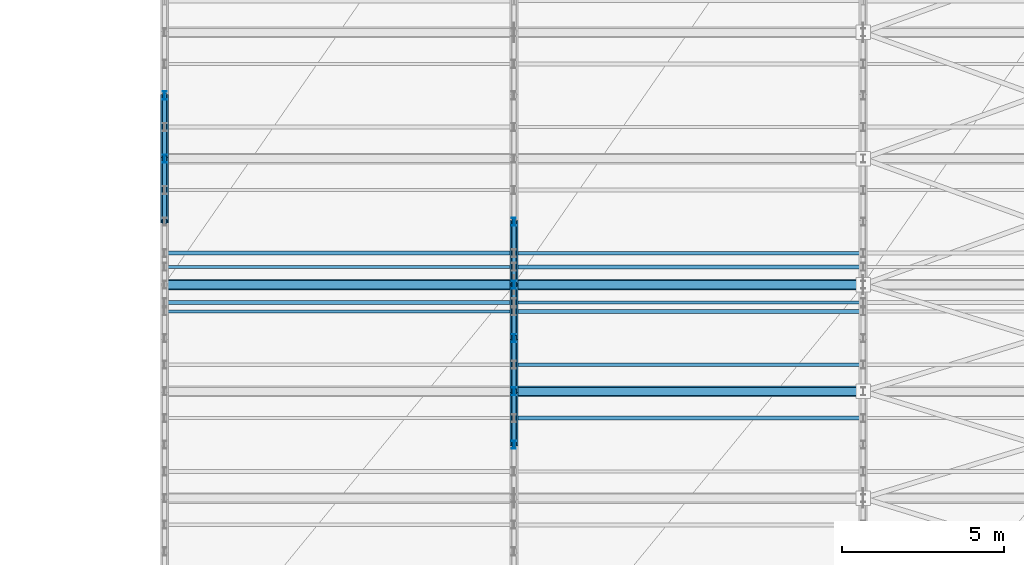
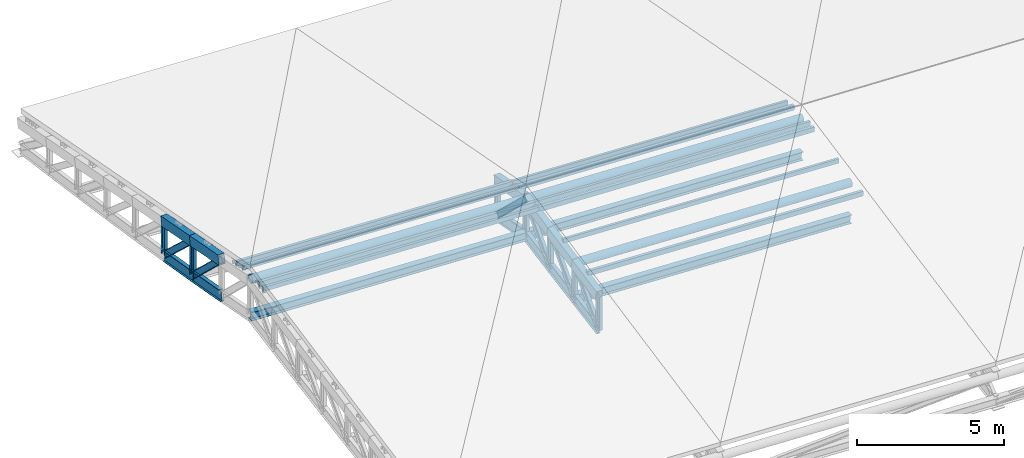
# One storey, part 15 of 89: 29 members, 12 beams.
"""IFC4 building model written with IfcOpenShell, lengths in metres."""

from ifc_helpers import new_model, si_unit, direction, frame, origin, origin_2d, place, context, subcontext, project, spatial, hollow_rectangle, hollow_circle, i_section, extrude, material, material_profile, profile_set, type_object, element, save


model = new_model("IFC4")

# Units and contexts
model_context = context("Model", 3, precision=1e-05, world=origin(), true_north=direction((0.0, 1.0)))
body_context = subcontext(model_context, "Body", "Model", "MODEL_VIEW")
ifc_project = project(units=[si_unit("LENGTHUNIT", "METRE"), si_unit("AREAUNIT", "SQUARE_METRE"), si_unit("VOLUMEUNIT", "CUBIC_METRE"), si_unit("PLANEANGLEUNIT", "RADIAN"), si_unit("MASSUNIT", "GRAM", prefix="KILO")], contexts=[model_context])

# Site, building, storey
site_placement = place(None, origin())
site = spatial("IfcSite", under=ifc_project, at=site_placement, CompositionType="ELEMENT")
building_placement = place(site_placement, origin())
building = spatial("IfcBuilding", under=site, at=building_placement, Name="Suirenkawa Promenade Aquatics Centre", CompositionType="ELEMENT")
storey_placement = place(building_placement, frame((0.0, 0.0, 9.60009765625)))
storey = spatial("IfcBuildingStorey", under=building, at=storey_placement, Name="L02", CompositionType="ELEMENT", Elevation=9.60009765625)

# Beams
ifc_material = material(Name="Steel IS 2062 E350 (Grade 350)", Category="steel")
ifc_material_profile_1 = material_profile(ifc_material, i_section(OverallWidth=0.14990234375, OverallDepth=0.449951171875, WebThickness=0.009033203125, FlangeThickness=0.01708984375, at=origin_2d()), Name="ISMB 450", Category="steel")
ifc_profile_set_1 = profile_set([ifc_material_profile_1], Name="Steel IS 2062 E350 (Grade 350)")
beam_type_1 = type_object("IfcBeamType", Name="BT-STL-ISMB450", PredefinedType="BEAM", material=ifc_profile_set_1)
beam_1_placement = place(storey_placement, frame((79.199951171875, 15.14990234375, 0.572998046875), z_axis=(0.0, 0.984179886777, -0.177172092787), x_axis=(-1.0, 0.0, 0.0)))
element("IfcBeam", 1, at=beam_1_placement, inside=storey, type_object=beam_type_1, Name="ROOF TRUSS V3 bottom chord BM-08 BM-2594", PredefinedType="BEAM", context=body_context, shape_type="SweptSolid", body=[
    extrude(i_section(OverallWidth=0.14990234375, OverallDepth=0.449951171875, WebThickness=0.009033203125, FlangeThickness=0.01708984375, at=origin_2d()), origin(), (0.0, 0.0, 1.0), 1.9814453125),
])
beam_2_placement = place(storey_placement, frame((79.199951171875, 17.10009765625, 0.221923828125), z_axis=(0.0, 0.98589233015, -0.167380743669), x_axis=(-1.0, 0.0, 0.0)))
element("IfcBeam", 2, at=beam_2_placement, inside=storey, type_object=beam_type_1, Name="ROOF TRUSS V3 bottom chord BM-08 BM-2596", PredefinedType="BEAM", context=body_context, shape_type="SweptSolid", body=[
    extrude(i_section(OverallWidth=0.14990234375, OverallDepth=0.449951171875, WebThickness=0.009033203125, FlangeThickness=0.01708984375, at=origin_2d()), origin(), (0.0, 0.0, 1.0), 1.977783203125),
])
beam_3_placement = place(storey_placement, frame((90.0, 8.25, -0.406005859375), z_axis=(0.0, 0.985219243782, 0.171298107642), x_axis=(-1.0, 0.0, 0.0)))
element("IfcBeam", 3, at=beam_3_placement, inside=storey, type_object=beam_type_1, Name="ROOF TRUSS V3 bottom chord BM-08 BM-2618", PredefinedType="BEAM", context=body_context, shape_type="SweptSolid", body=[
    extrude(i_section(OverallWidth=0.14990234375, OverallDepth=0.449951171875, WebThickness=0.009033203125, FlangeThickness=0.01708984375, at=origin_2d()), origin(), (0.0, 0.0, 1.0), 1.674560546875),
])
beam_4_placement = place(storey_placement, frame((90.0, 9.89990234375, -0.119140625), z_axis=(0.0, 0.983867580991, 0.178898247823), x_axis=(-1.0, 0.0, 0.0)))
element("IfcBeam", 4, at=beam_4_placement, inside=storey, type_object=beam_type_1, Name="ROOF TRUSS V3 bottom chord BM-08 BM-2620", PredefinedType="BEAM", context=body_context, shape_type="SweptSolid", body=[
    extrude(i_section(OverallWidth=0.14990234375, OverallDepth=0.449951171875, WebThickness=0.009033203125, FlangeThickness=0.01708984375, at=origin_2d()), origin(), (0.0, 0.0, 1.0), 1.67724609375),
])
beam_5_placement = place(storey_placement, frame((90.0, 11.550048828125, 0.180908203125), z_axis=(0.0, 0.982478263587, 0.186377202415), x_axis=(-1.0, 0.0, 0.0)))
element("IfcBeam", 5, at=beam_5_placement, inside=storey, type_object=beam_type_1, Name="ROOF TRUSS V3 bottom chord BM-08 BM-2622", PredefinedType="BEAM", context=body_context, shape_type="SweptSolid", body=[
    extrude(i_section(OverallWidth=0.14990234375, OverallDepth=0.449951171875, WebThickness=0.009033203125, FlangeThickness=0.01708984375, at=origin_2d()), origin(), (0.0, 0.0, 1.0), 1.679443359375),
])
beam_6_placement = place(storey_placement, frame((90.0, 13.199951171875, 0.493896484375), z_axis=(0.0, 0.982368697104, -0.18695385246), x_axis=(-1.0, 0.0, 0.0)))
element("IfcBeam", 6, at=beam_6_placement, inside=storey, type_object=beam_type_1, Name="ROOF TRUSS V3 bottom chord BM-08 BM-2624", PredefinedType="BEAM", context=body_context, shape_type="SweptSolid", body=[
    extrude(i_section(OverallWidth=0.14990234375, OverallDepth=0.449951171875, WebThickness=0.009033203125, FlangeThickness=0.01708984375, at=origin_2d()), origin(), (0.0, 0.0, 1.0), 1.98486328125),
])
ifc_material_profile_2 = material_profile(ifc_material, hollow_rectangle(XDim=0.25, YDim=0.39990234375, WallThickness=0.01611328125, at=origin_2d()), Name="RHS 400x250x16", Category="steel")
ifc_profile_set_2 = profile_set([ifc_material_profile_2], Name="Steel IS 2062 E350 (Grade 350)")
beam_type_2 = type_object("IfcBeamType", Name="BT-TC-RHS400", PredefinedType="BEAM", material=ifc_profile_set_2)
for number, where, z_axis, x_axis, name in (
    (7, (79.199951171875, 15.14990234375, 2.07080078125), (0.0, 0.982665459521, -0.185387687468), (-1.0, 0.0, 0.0), "ROOF TRUSS V3 top chord TC-03 BM-2593"),
    (8, (79.199951171875, 17.10009765625, 1.702880859375), (0.0, 0.982571460273, -0.185885248087), (-1.0, 0.0, 0.0), "ROOF TRUSS V3 top chord TC-03 BM-2595"),
):
    element("IfcBeam", number, at=place(storey_placement, frame(where, z_axis=z_axis, x_axis=x_axis)), inside=storey, type_object=beam_type_2, Name=name, PredefinedType="BEAM", context=body_context, shape_type="SweptSolid", body=[
        extrude(hollow_rectangle(XDim=0.25, YDim=0.39990234375, WallThickness=0.01611328125, at=origin_2d()), origin(), (0.0, 0.0, 1.0), 1.984619140625),
    ])
beam_7_placement = place(storey_placement, frame((90.0, 8.25, 0.995849609375), z_axis=(0.0, 0.980345640785, 0.197287669646), x_axis=(-1.0, 0.0, 0.0)))
element("IfcBeam", 9, at=beam_7_placement, inside=storey, type_object=beam_type_2, Name="ROOF TRUSS V3 top chord TC-03 BM-2617", PredefinedType="BEAM", context=body_context, shape_type="SweptSolid", body=[
    extrude(hollow_rectangle(XDim=0.25, YDim=0.39990234375, WallThickness=0.01611328125, at=origin_2d()), origin(), (0.0, 0.0, 1.0), 1.682861328125),
])
beam_8_placement = place(storey_placement, frame((90.0, 9.89990234375, 1.327880859375), z_axis=(0.0, 0.980463336519, 0.196701921042), x_axis=(-1.0, 0.0, 0.0)))
element("IfcBeam", 10, at=beam_8_placement, inside=storey, type_object=beam_type_2, Name="ROOF TRUSS V3 top chord TC-03 BM-2619", PredefinedType="BEAM", context=body_context, shape_type="SweptSolid", body=[
    extrude(hollow_rectangle(XDim=0.25, YDim=0.39990234375, WallThickness=0.01611328125, at=origin_2d()), origin(), (0.0, 0.0, 1.0), 1.68310546875),
])
beam_9_placement = place(storey_placement, frame((90.0, 11.550048828125, 1.658935546875), z_axis=(0.0, 0.980457722696, 0.196729901151), x_axis=(-1.0, 0.0, 0.0)))
element("IfcBeam", 11, at=beam_9_placement, inside=storey, type_object=beam_type_2, Name="ROOF TRUSS V3 top chord TC-03 BM-2621", PredefinedType="BEAM", context=body_context, shape_type="SweptSolid", body=[
    extrude(hollow_rectangle(XDim=0.25, YDim=0.39990234375, WallThickness=0.01611328125, at=origin_2d()), origin(), (0.0, 0.0, 1.0), 1.682861328125),
])
beam_10_placement = place(storey_placement, frame((90.0, 13.199951171875, 1.989990234375), z_axis=(0.0, 0.98254898431, -0.186004014558), x_axis=(-1.0, 0.0, 0.0)))
element("IfcBeam", 12, at=beam_10_placement, inside=storey, type_object=beam_type_2, Name="ROOF TRUSS V3 top chord TC-03 BM-2623", PredefinedType="BEAM", context=body_context, shape_type="SweptSolid", body=[
    extrude(hollow_rectangle(XDim=0.25, YDim=0.39990234375, WallThickness=0.01611328125, at=origin_2d()), origin(), (0.0, 0.0, 1.0), 1.984619140625),
])

# Members
ifc_material_profile_3 = material_profile(ifc_material, hollow_circle(Radius=0.162109375, WallThickness=0.013916015625, at=origin_2d()), Name="CHS 324x14", Category="steel")
ifc_profile_set_3 = profile_set([ifc_material_profile_3], Name="Steel IS 2062 E350 (Grade 350)")
member_type_1 = type_object("IfcMemberType", Name="MT-CHORD-CHS324", PredefinedType="CHORD", material=ifc_profile_set_3)
for number, where, z_axis, x_axis, name in (
    (13, (90.0, 9.89990234375, 1.327880859375), (0.9991332688, 0.0, -0.041625847467), (0.0, 1.0, 0.0), "ROOF TRUSS V3 tie chord CH-01 MB-1565"),
    (14, (79.199951171875, 13.199951171875, 2.43994140625), (0.9991332688, 0.0, -0.041625847467), (0.0, 1.0, 0.0), "ROOF TRUSS V3 tie chord CH-01 MB-1577"),
    (15, (90.0, 13.199951171875, 1.989990234375), (0.999132329203, 0.0, -0.041648394219), (0.0, 1.0, 0.0), "ROOF TRUSS V3 tie chord CH-01 MB-1579"),
):
    element("IfcMember", number, at=place(storey_placement, frame(where, z_axis=z_axis, x_axis=x_axis)), inside=storey, type_object=member_type_1, Name=name, PredefinedType="CHORD", context=body_context, shape_type="SweptSolid", body=[
        extrude(hollow_circle(Radius=0.162109375, WallThickness=0.013916015625, at=origin_2d()), origin(), (0.0, 0.0, 1.0), 10.809326171875),
    ])
ifc_material_profile_4 = material_profile(ifc_material, i_section(OverallWidth=0.25, OverallDepth=0.35009765625, WebThickness=0.010009765625, FlangeThickness=0.011962890625, at=origin_2d()), Name="ISHB 350", Category="steel")
ifc_profile_set_4 = profile_set([ifc_material_profile_4], Name="Steel IS 2062 E350 (Grade 350)")
member_type_2 = type_object("IfcMemberType", Name="MT-CHORD-ISHB350", PredefinedType="CHORD", material=ifc_profile_set_4)
for number, where, z_axis, x_axis, name in (
    (16, (90.0, 9.89990234375, -0.119140625), (0.9991332688, 0.0, -0.041625847467), (0.0, 1.0, 0.0), "ROOF TRUSS V3 bottom tie CH-04 MB-1566"),
    (17, (79.199951171875, 13.199951171875, 0.94384765625), (0.9991332688, 0.0, -0.041625847467), (0.0, 1.0, 0.0), "ROOF TRUSS V3 bottom tie CH-04 MB-1578"),
    (18, (90.0, 13.199951171875, 0.493896484375), (0.9991332688, 0.0, -0.041625847467), (0.0, 1.0, 0.0), "ROOF TRUSS V3 bottom tie CH-04 MB-1580"),
):
    element("IfcMember", number, at=place(storey_placement, frame(where, z_axis=z_axis, x_axis=x_axis)), inside=storey, type_object=member_type_2, Name=name, PredefinedType="CHORD", context=body_context, shape_type="SweptSolid", body=[
        extrude(i_section(OverallWidth=0.25, OverallDepth=0.35009765625, WebThickness=0.010009765625, FlangeThickness=0.011962890625, at=origin_2d()), origin(), (0.0, 0.0, 1.0), 10.809326171875),
    ])
ifc_material_profile_5 = material_profile(ifc_material, hollow_rectangle(XDim=0.10009765625, YDim=0.179931640625, WallThickness=0.008056640625, at=origin_2d()), Name="RHS 180x100x8", Category="steel")
ifc_profile_set_5 = profile_set([ifc_material_profile_5], Name="Steel IS 2062 E350 (Grade 350)")
member_type_3 = type_object("IfcMemberType", Name="MT-PURLIN-RHS180", PredefinedType="PURLIN", material=ifc_profile_set_5)
for number, where, z_axis, x_axis, name in (
    (19, (79.199951171875, 12.375, 2.52587890625), (0.9991332688, 0.0, -0.041625847467), (0.0, 1.0, 0.0), "ROOF TRUSS Roof purlin PU-01 MB-2629"),
    (20, (79.199951171875, 13.75, 2.5888671875), (0.9991332688, 0.0, -0.041625847467), (0.0, 1.0, 0.0), "ROOF TRUSS Roof purlin PU-01 MB-2635"),
    (21, (90.0, 10.72509765625, 1.744873046875), (0.9991332688, 0.0, -0.041625847467), (0.0, 1.0, 0.0), "ROOF TRUSS Roof purlin PU-01 MB-2679"),
    (22, (90.0, 12.64990234375, 2.1318359375), (0.9991332688, 0.0, -0.041625847467), (0.0, 1.0, 0.0), "ROOF TRUSS Roof purlin PU-01 MB-2683"),
    (23, (90.0, 14.175048828125, 2.058837890625), (0.9991332688, 0.0, -0.041625847467), (0.0, 1.0, 0.0), "ROOF TRUSS Roof purlin PU-01 MB-2687"),
):
    element("IfcMember", number, at=place(storey_placement, frame(where, z_axis=z_axis, x_axis=x_axis)), inside=storey, type_object=member_type_3, Name=name, PredefinedType="PURLIN", context=body_context, shape_type="SweptSolid", body=[
        extrude(hollow_rectangle(XDim=0.10009765625, YDim=0.179931640625, WallThickness=0.008056640625, at=origin_2d()), origin(), (0.0, 0.0, 1.0), 10.809326171875),
    ])
ifc_material_profile_6 = material_profile(ifc_material, hollow_rectangle(XDim=0.1201171875, YDim=0.199951171875, WallThickness=0.008056640625, at=origin_2d()), Name="RHS 200x120x8", Category="steel")
ifc_profile_set_6 = profile_set([ifc_material_profile_6], Name="Steel IS 2062 E350 (Grade 350)")
member_type_4 = type_object("IfcMemberType", Name="MT-PURLIN-RHS200", PredefinedType="PURLIN", material=ifc_profile_set_6)
for number, where, z_axis, x_axis, name in (
    (24, (79.199951171875, 12.64990234375, 2.56884765625), (0.999137022116, 0.0, -0.041535659825), (0.0, 1.0, 0.0), "ROOF TRUSS Roof purlin PU-02 MB-2632"),
    (25, (79.199951171875, 14.175048828125, 2.496826171875), (0.9991332688, 0.0, -0.041625847467), (0.0, 1.0, 0.0), "ROOF TRUSS Roof purlin PU-02 MB-2638"),
    (26, (90.0, 9.074951171875, 1.40185546875), (0.9991332688, 0.0, -0.041625847467), (0.0, 1.0, 0.0), "ROOF TRUSS Roof purlin PU-02 MB-2677"),
    (27, (90.0, 12.375, 2.06396484375), (0.9991332688, 0.0, -0.041625847467), (0.0, 1.0, 0.0), "ROOF TRUSS Roof purlin PU-02 MB-2681"),
    (28, (90.0, 13.75, 2.126953125), (0.9991332688, 0.0, -0.041625847467), (0.0, 1.0, 0.0), "ROOF TRUSS Roof purlin PU-02 MB-2685"),
):
    element("IfcMember", number, at=place(storey_placement, frame(where, z_axis=z_axis, x_axis=x_axis)), inside=storey, type_object=member_type_4, Name=name, PredefinedType="PURLIN", context=body_context, shape_type="SweptSolid", body=[
        extrude(hollow_rectangle(XDim=0.1201171875, YDim=0.199951171875, WallThickness=0.008056640625, at=origin_2d()), origin(), (0.0, 0.0, 1.0), 10.809326171875),
    ])
ifc_material_profile_7 = material_profile(ifc_material, i_section(OverallWidth=0.125, OverallDepth=0.25, WebThickness=0.007080078125, FlangeThickness=0.012939453125, at=origin_2d()), Name="ISMB 250", Category="steel")
ifc_profile_set_7 = profile_set([ifc_material_profile_7], Name="Steel IS 2062 E350 (Grade 350)")
member_type_5 = type_object("IfcMemberType", Name="MT-WEB-CHS168", PredefinedType="BRACE", material=ifc_profile_set_7)
member_1_placement = place(storey_placement, frame((79.199951171875, 15.14990234375, 2.07080078125), z_axis=(0.0, 0.725706746717, -0.688004155344), x_axis=(-1.0, 0.0, 0.0)))
element("IfcMember", 29, at=member_1_placement, inside=storey, type_object=member_type_5, Name="ROOF TRUSS V3 web diagonal TD-03 MB-1285", PredefinedType="BRACE", context=body_context, shape_type="SweptSolid", body=[
    extrude(i_section(OverallWidth=0.125, OverallDepth=0.25, WebThickness=0.007080078125, FlangeThickness=0.012939453125, at=origin_2d()), origin(), (0.0, 0.0, 1.0), 2.687255859375),
])
member_2_placement = place(storey_placement, frame((79.199951171875, 17.10009765625, 1.702880859375), z_axis=(0.0, 0.732541911436, -0.680721931474), x_axis=(-1.0, 0.0, 0.0)))
element("IfcMember", 30, at=member_2_placement, inside=storey, type_object=member_type_5, Name="ROOF TRUSS V3 web diagonal TD-03 MB-1286", PredefinedType="BRACE", context=body_context, shape_type="SweptSolid", body=[
    extrude(i_section(OverallWidth=0.125, OverallDepth=0.25, WebThickness=0.007080078125, FlangeThickness=0.012939453125, at=origin_2d()), origin(), (0.0, 0.0, 1.0), 2.661865234375),
])
member_3_placement = place(storey_placement, frame((79.199951171875, 17.10009765625, 0.221923828125), z_axis=(0.0, 0.0, 1.0), x_axis=(1.0, 0.0, 0.0)))
element("IfcMember", 31, at=member_3_placement, inside=storey, type_object=member_type_5, Name="ROOF TRUSS V3 web post TD-03 MB-1301", PredefinedType="BRACE", context=body_context, shape_type="SweptSolid", body=[
    extrude(i_section(OverallWidth=0.125, OverallDepth=0.25, WebThickness=0.007080078125, FlangeThickness=0.012939453125, at=origin_2d()), origin(), (0.0, 0.0, 1.0), 1.48095703125),
])
member_4_placement = place(storey_placement, frame((79.199951171875, 19.050048828125, -0.109130859375), z_axis=(0.0, 0.0, 1.0), x_axis=(1.0, 0.0, 0.0)))
element("IfcMember", 32, at=member_4_placement, inside=storey, type_object=member_type_5, Name="ROOF TRUSS V3 web post TD-03 MB-1302", PredefinedType="BRACE", context=body_context, shape_type="SweptSolid", body=[
    extrude(i_section(OverallWidth=0.125, OverallDepth=0.25, WebThickness=0.007080078125, FlangeThickness=0.012939453125, at=origin_2d()), origin(), (0.0, 0.0, 1.0), 1.443115234375),
])
member_5_placement = place(storey_placement, frame((90.0, 8.25, -0.406005859375), z_axis=(0.0, 0.689344366045, 0.724433809952), x_axis=(-1.0, 0.0, 0.0)))
element("IfcMember", 33, at=member_5_placement, inside=storey, type_object=member_type_5, Name="ROOF TRUSS V3 web diagonal TD-03 MB-1312", PredefinedType="BRACE", context=body_context, shape_type="SweptSolid", body=[
    extrude(i_section(OverallWidth=0.125, OverallDepth=0.25, WebThickness=0.007080078125, FlangeThickness=0.012939453125, at=origin_2d()), origin(), (0.0, 0.0, 1.0), 2.3935546875),
])
member_6_placement = place(storey_placement, frame((90.0, 9.89990234375, -0.119140625), z_axis=(0.0, 0.680246477902, 0.732983444084), x_axis=(-1.0, 0.0, 0.0)))
element("IfcMember", 34, at=member_6_placement, inside=storey, type_object=member_type_5, Name="ROOF TRUSS V3 web diagonal TD-03 MB-1313", PredefinedType="BRACE", context=body_context, shape_type="SweptSolid", body=[
    extrude(i_section(OverallWidth=0.125, OverallDepth=0.25, WebThickness=0.007080078125, FlangeThickness=0.012939453125, at=origin_2d()), origin(), (0.0, 0.0, 1.0), 2.42578125),
])
member_7_placement = place(storey_placement, frame((90.0, 11.550048828125, 0.180908203125), z_axis=(0.0, 0.673853139616, 0.738865309938), x_axis=(-1.0, 0.0, 0.0)))
element("IfcMember", 35, at=member_7_placement, inside=storey, type_object=member_type_5, Name="ROOF TRUSS V3 web diagonal TD-03 MB-1314", PredefinedType="BRACE", context=body_context, shape_type="SweptSolid", body=[
    extrude(i_section(OverallWidth=0.125, OverallDepth=0.25, WebThickness=0.007080078125, FlangeThickness=0.012939453125, at=origin_2d()), origin(), (0.0, 0.0, 1.0), 2.448486328125),
])
member_8_placement = place(storey_placement, frame((90.0, 13.199951171875, 1.989990234375), z_axis=(0.0, 0.722268603188, -0.691612655212), x_axis=(-1.0, 0.0, 0.0)))
element("IfcMember", 36, at=member_8_placement, inside=storey, type_object=member_type_5, Name="ROOF TRUSS V3 web diagonal TD-03 MB-1315", PredefinedType="BRACE", context=body_context, shape_type="SweptSolid", body=[
    extrude(i_section(OverallWidth=0.125, OverallDepth=0.25, WebThickness=0.007080078125, FlangeThickness=0.012939453125, at=origin_2d()), origin(), (0.0, 0.0, 1.0), 2.69970703125),
])
member_9_placement = place(storey_placement, frame((90.0, 8.25, -0.406005859375), z_axis=(0.0, 0.0, 1.0), x_axis=(1.0, 0.0, 0.0)))
element("IfcMember", 37, at=member_9_placement, inside=storey, type_object=member_type_5, Name="ROOF TRUSS V3 web post TD-03 MB-1327", PredefinedType="BRACE", context=body_context, shape_type="SweptSolid", body=[
    extrude(i_section(OverallWidth=0.125, OverallDepth=0.25, WebThickness=0.007080078125, FlangeThickness=0.012939453125, at=origin_2d()), origin(), (0.0, 0.0, 1.0), 1.40185546875),
])
member_10_placement = place(storey_placement, frame((90.0, 9.89990234375, -0.119140625), z_axis=(0.0, 0.0, 1.0), x_axis=(1.0, 0.0, 0.0)))
element("IfcMember", 38, at=member_10_placement, inside=storey, type_object=member_type_5, Name="ROOF TRUSS V3 web post TD-03 MB-1328", PredefinedType="BRACE", context=body_context, shape_type="SweptSolid", body=[
    extrude(i_section(OverallWidth=0.125, OverallDepth=0.25, WebThickness=0.007080078125, FlangeThickness=0.012939453125, at=origin_2d()), origin(), (0.0, 0.0, 1.0), 1.447021484375),
])
member_11_placement = place(storey_placement, frame((90.0, 11.550048828125, 0.180908203125), z_axis=(0.0, 0.0, 1.0), x_axis=(1.0, 0.0, 0.0)))
element("IfcMember", 39, at=member_11_placement, inside=storey, type_object=member_type_5, Name="ROOF TRUSS V3 web post TD-03 MB-1329", PredefinedType="BRACE", context=body_context, shape_type="SweptSolid", body=[
    extrude(i_section(OverallWidth=0.125, OverallDepth=0.25, WebThickness=0.007080078125, FlangeThickness=0.012939453125, at=origin_2d()), origin(), (0.0, 0.0, 1.0), 1.47802734375),
])
member_12_placement = place(storey_placement, frame((90.0, 13.199951171875, 0.493896484375), z_axis=(0.0, 0.0, 1.0), x_axis=(1.0, 0.0, 0.0)))
element("IfcMember", 40, at=member_12_placement, inside=storey, type_object=member_type_5, Name="ROOF TRUSS V3 web post TD-03 MB-1330", PredefinedType="BRACE", context=body_context, shape_type="SweptSolid", body=[
    extrude(i_section(OverallWidth=0.125, OverallDepth=0.25, WebThickness=0.007080078125, FlangeThickness=0.012939453125, at=origin_2d()), origin(), (0.0, 0.0, 1.0), 1.49609375),
])
member_13_placement = place(storey_placement, frame((90.0, 15.14990234375, 0.122802734375), z_axis=(0.0, 0.0, 1.0), x_axis=(1.0, 0.0, 0.0)))
element("IfcMember", 41, at=member_13_placement, inside=storey, type_object=member_type_5, Name="ROOF TRUSS V3 web post TD-03 MB-1331", PredefinedType="BRACE", context=body_context, shape_type="SweptSolid", body=[
    extrude(i_section(OverallWidth=0.125, OverallDepth=0.25, WebThickness=0.007080078125, FlangeThickness=0.012939453125, at=origin_2d()), origin(), (0.0, 0.0, 1.0), 1.498046875),
])

save(model, "model.ifc")
